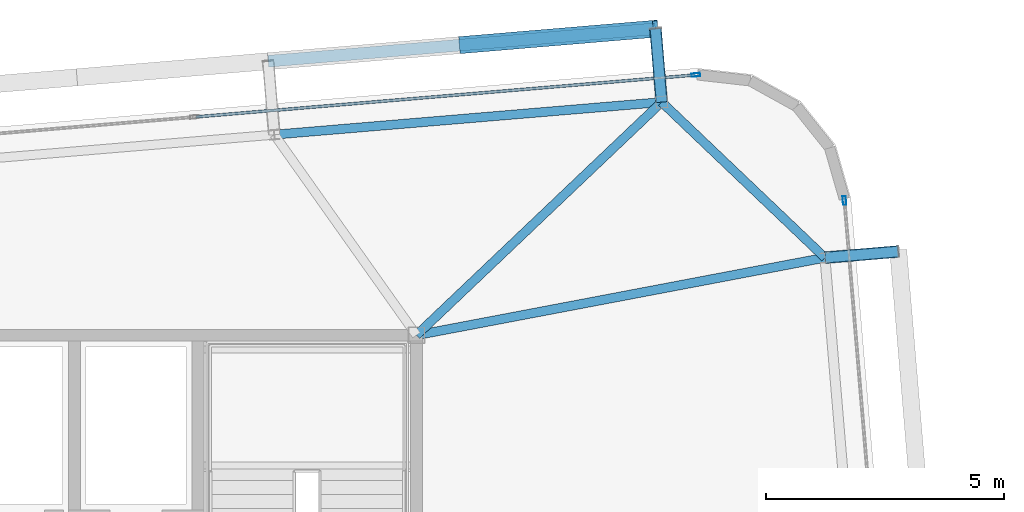
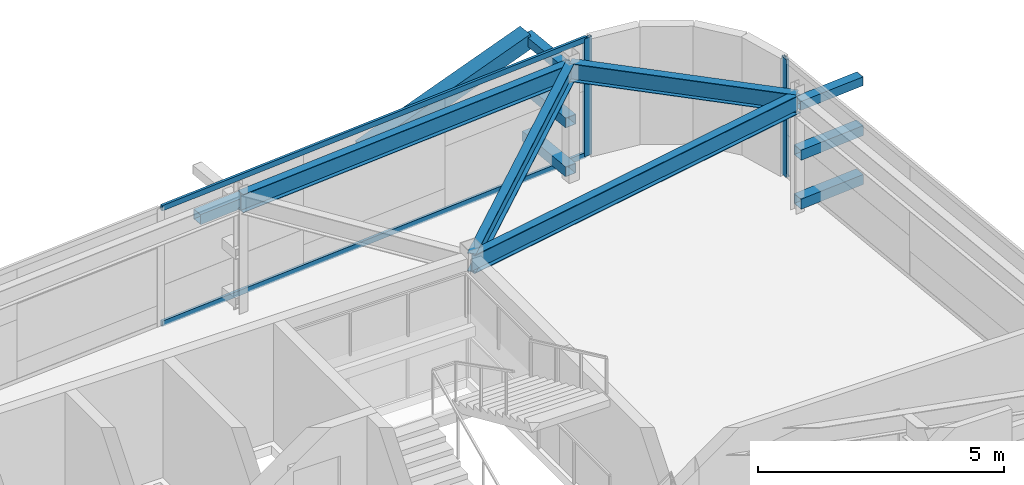
# One storey, part 25 of 39: 12 members, 4 beams, 2 elements without a shape of their own.
"""IFC4 building model written with IfcOpenShell, lengths in metres."""

import ifcopenshell
import ifcopenshell.guid

model = None  # the IFC model being written
_history = None  # IfcOwnerHistory: only IFC2X3 demands one
_inside = {}  # id of a spatial element -> (the spatial element, [elements in it])
_under = {}  # id of a project, library or spatial element -> (it, [spatial elements below it])
_declared = {}  # id of a project -> (the project, [libraries it declares])
_typed = {}  # id of a type object -> (the type object, [elements of that type])
_made_of = {}  # id of a material, layer set ... -> (it, [elements and type objects made of it])


def new_model(schema):
    """Start an empty IFC model of exactly this schema.

    Asked for "IFC4X3", IfcOpenShell would pick the latest addendum, in which some entities
    have other attributes; the version numbers below select the first issue.
    IFC2X3 requires an IfcOwnerHistory on every rooted entity: one is made here for all.
    """
    global model, _history
    if schema == "IFC4X3":
        model = ifcopenshell.file(schema_version=(4, 3, 0, 0))
    else:
        model = ifcopenshell.file(schema=schema)
    _inside.clear()
    _under.clear()
    _declared.clear()
    _typed.clear()
    _made_of.clear()
    _history = None
    if model.schema == "IFC2X3":
        org = make("IfcOrganization", Name="unknown")
        user = make(
            "IfcPersonAndOrganization",
            ThePerson=make("IfcPerson", FamilyName="unknown"),
            TheOrganization=org,
        )
        app = make(
            "IfcApplication",
            ApplicationDeveloper=org,
            Version="unknown",
            ApplicationFullName="unknown",
            ApplicationIdentifier="unknown",
        )
        _history = make(
            "IfcOwnerHistory",
            OwningUser=user,
            OwningApplication=app,
            ChangeAction="ADDED",
            CreationDate=0,
        )
    return model


def make(cls, **values):
    """One entity of the class cls with the attributes given. An attribute that is None is left unset."""
    return model.create_entity(
        cls, **{name: value for name, value in values.items() if value is not None}
    )


def rooted(cls, **values):
    """An entity with a GlobalId (a new one), such as an element, a storey or a relation."""
    return make(cls, GlobalId=ifcopenshell.guid.new(), OwnerHistory=_history, **values)


def si_unit(unit_type, name, prefix=None):
    """IfcSIUnit, for example si_unit("LENGTHUNIT", "METRE", prefix="MILLI")."""
    return make("IfcSIUnit", UnitType=unit_type, Prefix=prefix, Name=name)


def assignment(units):
    """IfcUnitAssignment: the units of a project."""
    return None if units is None else make("IfcUnitAssignment", Units=units)


def point(xyz):
    """IfcCartesianPoint."""
    return None if xyz is None else make("IfcCartesianPoint", Coordinates=xyz)


def direction(xyz):
    """IfcDirection."""
    return None if xyz is None else make("IfcDirection", DirectionRatios=xyz)


def frame(location, z_axis=None, x_axis=None):
    """IfcAxis2Placement3D, a coordinate frame: its origin and axes. An axis left out is left unset."""
    return make(
        "IfcAxis2Placement3D",
        Location=point(location),
        Axis=direction(z_axis),
        RefDirection=direction(x_axis),
    )


def frame_2d(location, x_axis=None):
    """IfcAxis2Placement2D, a coordinate frame in the plane: its origin and x axis."""
    return make(
        "IfcAxis2Placement2D", Location=point(location), RefDirection=direction(x_axis)
    )


def origin():
    """The frame at (0, 0, 0) with its axes left unset."""
    return frame((0.0, 0.0, 0.0))


def origin_2d():
    """The frame at (0, 0) in the plane with its x axis left unset."""
    return frame_2d((0.0, 0.0))


def place(relative_to, where):
    """IfcLocalPlacement: puts the frame where relative to a parent placement (None: the world)."""
    return make(
        "IfcLocalPlacement", PlacementRelTo=relative_to, RelativePlacement=where
    )


def context(
    kind, dimensions, precision=None, world=None, true_north=None, identifier=None
):
    """IfcGeometricRepresentationContext, for example the 3D "Model" context."""
    return make(
        "IfcGeometricRepresentationContext",
        ContextIdentifier=identifier,
        ContextType=kind,
        CoordinateSpaceDimension=dimensions,
        Precision=precision,
        WorldCoordinateSystem=world,
        TrueNorth=true_north,
    )


def subcontext(parent, identifier, kind, view, scale=None):
    """IfcGeometricRepresentationSubContext, for example "Body" below "Model"."""
    return make(
        "IfcGeometricRepresentationSubContext",
        ContextIdentifier=identifier,
        ContextType=kind,
        ParentContext=parent,
        TargetScale=scale,
        TargetView=view,
    )


def project(units=None, contexts=None):
    """IfcProject with its units and contexts."""
    return rooted(
        "IfcProject",
        Name="project",
        RepresentationContexts=contexts,
        UnitsInContext=assignment(units),
    )


def spatial(cls, under=None, at=None, **own):
    """A site, building, storey or space (cls), placed at a placement, below another one or the project."""
    s = rooted(cls, ObjectPlacement=at, **own)
    if under is not None:
        _under.setdefault(under.id(), (under, []))[1].append(s)
    return s


def profile(cls, at=None, kind="AREA", **sizes):
    """A parametric profile (cls). Its sizes go by their IFC names, for example OverallWidth=200.0."""
    return make(cls, ProfileType=kind, Position=at, **sizes)


def hollow_rectangle(**sizes):
    """IfcRectangleHollowProfileDef."""
    return profile("IfcRectangleHollowProfileDef", **sizes)


def i_section(**sizes):
    """IfcIShapeProfileDef."""
    return profile("IfcIShapeProfileDef", **sizes)


def extrude(swept, where, along, depth):
    """IfcExtrudedAreaSolid: the profile swept, set in the frame where, extruded along a direction by depth."""
    return make(
        "IfcExtrudedAreaSolid",
        SweptArea=swept,
        Position=where,
        ExtrudedDirection=direction(along),
        Depth=depth,
    )


def shape(context_of_items, identifier, shape_type, items):
    """IfcShapeRepresentation: the items that make up one representation, for example the "Body"."""
    return make(
        "IfcShapeRepresentation",
        ContextOfItems=context_of_items,
        RepresentationIdentifier=identifier,
        RepresentationType=shape_type,
        Items=items,
    )


def source(mapping_origin, context_of_items, identifier, shape_type, items):
    """IfcRepresentationMap: a shape defined once, which mapped items show again and again."""
    return make(
        "IfcRepresentationMap",
        MappingOrigin=mapping_origin,
        MappedRepresentation=shape(context_of_items, identifier, shape_type, items),
    )


def transform(
    local_origin,
    x_axis=None,
    y_axis=None,
    z_axis=None,
    scale=None,
    scale2=None,
    scale3=None,
    uniform=True,
):
    """IfcCartesianTransformationOperator3D, or its non-uniform kind. x_axis, y_axis, z_axis: its Axis1, 2, 3."""
    if uniform:
        return make(
            "IfcCartesianTransformationOperator3D",
            Axis1=direction(x_axis),
            Axis2=direction(y_axis),
            LocalOrigin=point(local_origin),
            Scale=scale,
            Axis3=direction(z_axis),
        )
    return make(
        "IfcCartesianTransformationOperator3DnonUniform",
        Axis1=direction(x_axis),
        Axis2=direction(y_axis),
        LocalOrigin=point(local_origin),
        Scale=scale,
        Axis3=direction(z_axis),
        Scale2=scale2,
        Scale3=scale3,
    )


def mapped(mapping_source, mapping_target):
    """IfcMappedItem: shows the shape of a source again, moved by a transform."""
    return make(
        "IfcMappedItem", MappingSource=mapping_source, MappingTarget=mapping_target
    )


def material(Name=None, Category=None):
    """IfcMaterial."""
    return make("IfcMaterial", Name=Name, Category=Category)


def layer(
    of_material, thickness, ventilated=None, Name=None, Category=None, Priority=None
):
    """IfcMaterialLayer: one layer of a wall or slab, of a material (None: an air gap)."""
    return make(
        "IfcMaterialLayer",
        Material=of_material,
        LayerThickness=thickness,
        IsVentilated=ventilated,
        Name=Name,
        Category=Category,
        Priority=Priority,
    )


def layer_set(layers, Name=None):
    """IfcMaterialLayerSet."""
    return make("IfcMaterialLayerSet", MaterialLayers=layers, LayerSetName=Name)


def material_profile(
    of_material, cross_section, Name=None, Category=None, Priority=None
):
    """IfcMaterialProfile: a cross section and its material."""
    return make(
        "IfcMaterialProfile",
        Name=Name,
        Material=of_material,
        Profile=cross_section,
        Priority=Priority,
        Category=Category,
    )


def profile_set(profiles, Name=None, composite=None):
    """IfcMaterialProfileSet."""
    return make(
        "IfcMaterialProfileSet",
        Name=Name,
        MaterialProfiles=profiles,
        CompositeProfile=composite,
    )


def made_of(thing, what):
    """Note that an element or type object is made of a material, layer set ...; save() writes the relation."""
    if what is not None:
        _made_of.setdefault(what.id(), (what, []))[1].append(thing)
    return thing


def type_object(cls, material=None, **own):
    """A type object (cls), such as IfcWallType, which elements share."""
    return made_of(rooted(cls, **own), material)


def element(
    cls,
    number,
    at=None,
    inside=None,
    cuts=None,
    type_object=None,
    material=None,
    context=None,
    identifier="Body",
    shape_type=None,
    held_by="IfcProductDefinitionShape",
    body=None,
    shapes=None,
    **own,
):
    """One element of the class cls, such as IfcWall. Its Tag is "e" and its number.

    at: its placement. inside: the storey or other place that contains it. cuts: it is an
    opening in that element (IfcRelVoidsElement). A single representation is given by context,
    identifier, shape_type and body (its items); several are given by shapes. held_by: the class
    of the entity that holds the representations. save() writes the other relations.
    """
    e = rooted(cls, Tag="e%d" % number, ObjectPlacement=at, **own)
    if body is not None:
        shapes = [shape(context, identifier, shape_type, body)]
    if shapes is not None:
        e.Representation = make(held_by, Representations=shapes)
    if inside is not None:
        _inside.setdefault(inside.id(), (inside, []))[1].append(e)
    if cuts is not None:
        rooted(
            "IfcRelVoidsElement", RelatingBuildingElement=cuts, RelatedOpeningElement=e
        )
    if type_object is not None:
        _typed.setdefault(type_object.id(), (type_object, []))[1].append(e)
    return made_of(e, material)


def aggregate(whole, parts):
    """IfcRelAggregates: a whole, such as a stair, and the parts it consists of."""
    return rooted("IfcRelAggregates", RelatingObject=whole, RelatedObjects=parts)


def save(model, path):
    """Write the relations noted so far, then the file.

    IfcRelAggregates (storeys below a building ...), IfcRelContainedInSpatialStructure (elements
    in a storey), IfcRelDefinesByType, IfcRelAssociatesMaterial and IfcRelDeclares: one each for
    every whole, place, type object, material and project.
    """
    for whole, parts in _under.values():
        aggregate(whole, parts)
    for where, things in _inside.values():
        rooted(
            "IfcRelContainedInSpatialStructure",
            RelatedElements=things,
            RelatingStructure=where,
        )
    for kind, things in _typed.values():
        rooted("IfcRelDefinesByType", RelatedObjects=things, RelatingType=kind)
    for what, things in _made_of.values():
        rooted("IfcRelAssociatesMaterial", RelatedObjects=things, RelatingMaterial=what)
    for by, libraries in _declared.values():
        rooted("IfcRelDeclares", RelatingContext=by, RelatedDefinitions=libraries)
    model.write(path)


model = new_model("IFC4")

# Units and contexts
model_context = context("Model", 3, precision=1e-05, world=origin(), true_north=direction((0.0, 1.0)))
body_context = subcontext(model_context, "Body", "Model", "MODEL_VIEW")
ifc_project = project(units=[si_unit("LENGTHUNIT", "METRE"), si_unit("AREAUNIT", "SQUARE_METRE"), si_unit("VOLUMEUNIT", "CUBIC_METRE"), si_unit("PLANEANGLEUNIT", "RADIAN"), si_unit("MASSUNIT", "GRAM", prefix="KILO")], contexts=[model_context])

# Site, building, storey
site_placement = place(None, origin())
site = spatial("IfcSite", under=ifc_project, at=site_placement, CompositionType="ELEMENT")
building_placement = place(site_placement, origin())
building = spatial("IfcBuilding", under=site, at=building_placement, Name="Taldren Reach Tower", CompositionType="ELEMENT")
storey_placement = place(building_placement, frame((0.0, 0.0, 178.85009765625)))
storey = spatial("IfcBuildingStorey", under=building, at=storey_placement, Name="L54", CompositionType="ELEMENT", Elevation=178.85009765625)

# Members
ifc_material_1 = material(Name="Steel Gr 350 (C350L0)", Category="steel")
ifc_material_profile_1 = material_profile(ifc_material_1, hollow_rectangle(XDim=0.25, YDim=0.25, WallThickness=0.010009765625, at=origin_2d()), Name="250x250x10.0SHS")
ifc_profile_set_1 = profile_set([ifc_material_profile_1], Name="Steel Gr 350 (C350L0)")
member_type_1 = type_object("IfcMemberType", Name="MB-POST250", PredefinedType="POST", material=ifc_profile_set_1)
shared_shape_1 = source(origin(), body_context, "Body", "SweptSolid", [
    extrude(hollow_rectangle(XDim=0.25, YDim=0.25, WallThickness=0.010009765625, at=origin_2d()), origin(), (0.0, 0.0, 1.0), 1.5498046875),
])
for number, where, z_axis, x_axis, name in (
    (1, (56.160400390625, 36.906005859375, 0.219970703125), (-0.083645141657, 0.996495604746, 0.0), (-0.996495604746, -0.083645141657, 0.0), "Exoskeleton base diaphragm tie strut B4-N6 L54"),
    (2, (56.160400390625, 36.906005859375, 1.434814453125), (-0.083645141657, 0.996495604746, 0.0), (-0.996495604746, -0.083645141657, 0.0), "Exoskeleton mid-tier diaphragm tie B4-N6 L54"),
):
    element("IfcMember", number, at=place(storey_placement, frame(where, z_axis=z_axis, x_axis=x_axis)), inside=storey, type_object=member_type_1, Name=name, PredefinedType="POST", context=body_context, shape_type="MappedRepresentation", body=[
        mapped(shared_shape_1, transform((0.0, 0.0, 0.0), scale=1.0)),
    ])

# Beams
ifc_material_2 = material(Name="Steel Gr 350 (350PLUS)", Category="steel")
ifc_material_profile_2 = material_profile(ifc_material_2, i_section(OverallWidth=0.18994140625, OverallDepth=0.4541015625, WebThickness=0.008544921875, FlangeThickness=0.0126953125, at=origin_2d()), Name="460UB67.1")
ifc_profile_set_2 = profile_set([ifc_material_profile_2], Name="Steel Gr 350 (350PLUS)")
beam_type_1 = type_object("IfcBeamType", Name="SP-UB460B", PredefinedType="SPANDREL", material=ifc_profile_set_2)
shared_shape_2 = source(origin(), body_context, "Body", "SweptSolid", [
    extrude(i_section(OverallWidth=0.18994140625, OverallDepth=0.4541015625, WebThickness=0.008544921875, FlangeThickness=0.0126953125, at=origin_2d()), origin(), (0.0, 0.0, 1.0), 8.18017578125),
])
beam_1_placement = place(storey_placement, frame((56.160400390625, 36.906005859375, 2.702880859375), z_axis=(-0.996492034688, -0.083687662192, 0.0), x_axis=(0.083687662192, -0.996492034688, 0.0)))
element("IfcBeam", 3, at=beam_1_placement, inside=storey, type_object=beam_type_1, Name="Perimeter spandrel B4 N6-N5 L54", PredefinedType="SPANDREL", context=body_context, shape_type="MappedRepresentation", body=[
    mapped(shared_shape_2, transform((0.0, 0.0, 0.0), scale=1.0)),
])
shared_shape_3 = source(origin(), body_context, "Body", "SweptSolid", [
    extrude(i_section(OverallWidth=0.18994140625, OverallDepth=0.4541015625, WebThickness=0.008544921875, FlangeThickness=0.0126953125, at=origin_2d()), origin(), (0.0, 0.0, 1.0), 4.74609375),
])
beam_2_placement = place(storey_placement, frame((59.596435546875, 33.632080078125, 2.702880859375), z_axis=(-0.723978879349, 0.689822138132, 0.0), x_axis=(-0.689822138132, -0.723978879349, 0.0)))
element("IfcBeam", 4, at=beam_2_placement, inside=storey, type_object=beam_type_1, Name="Perimeter spandrel B4 E3-N6 L54", PredefinedType="SPANDREL", context=body_context, shape_type="MappedRepresentation", body=[
    mapped(shared_shape_3, transform((0.0, 0.0, 0.0), scale=1.0)),
])
ifc_material_profile_3 = material_profile(ifc_material_2, i_section(OverallWidth=0.19091796875, OverallDepth=0.4599609375, WebThickness=0.010009765625, FlangeThickness=0.01611328125, at=origin_2d()), Name="460UB82.1")
ifc_profile_set_3 = profile_set([ifc_material_profile_3], Name="Steel Gr 350 (350PLUS)")
beam_type_2 = type_object("IfcBeamType", Name="BM-UB460A", PredefinedType="BEAM", material=ifc_profile_set_3)
shared_shape_4 = source(origin(), body_context, "Body", "SweptSolid", [
    extrude(i_section(OverallWidth=0.19091796875, OverallDepth=0.4599609375, WebThickness=0.010009765625, FlangeThickness=0.01611328125, at=origin_2d()), origin(), (0.0, 0.0, 1.0), 8.75),
])
beam_3_placement = place(storey_placement, frame((51.0, 32.0, 2.699951171875), z_axis=(0.982450485799, 0.18652357211, 0.0), x_axis=(-0.18652357211, 0.982450485799, 0.0)))
element("IfcBeam", 5, at=beam_3_placement, inside=storey, type_object=beam_type_2, Name="Primary floor girder B4-E3 L54", PredefinedType="BEAM", context=body_context, shape_type="MappedRepresentation", body=[
    mapped(shared_shape_4, transform((0.0, 0.0, 0.0), scale=1.0)),
])
shared_shape_5 = source(origin(), body_context, "Body", "SweptSolid", [
    extrude(i_section(OverallWidth=0.19091796875, OverallDepth=0.4599609375, WebThickness=0.010009765625, FlangeThickness=0.01611328125, at=origin_2d()), origin(), (0.0, 0.0, 1.0), 7.120361328125),
])
beam_4_placement = place(storey_placement, frame((51.0, 32.0, 2.699951171875), z_axis=(0.724745130454, 0.689017050503, 0.0), x_axis=(-0.689017050503, 0.724745130454, 0.0)))
element("IfcBeam", 6, at=beam_4_placement, inside=storey, type_object=beam_type_2, Name="Primary floor girder B4-N6 L54", PredefinedType="BEAM", context=body_context, shape_type="MappedRepresentation", body=[
    mapped(shared_shape_5, transform((0.0, 0.0, 0.0), scale=1.0)),
])

# Members
ifc_material_3 = material(Name="Steel Gr 450 (C450L0)", Category="steel")
ifc_material_profile_4 = material_profile(ifc_material_3, hollow_rectangle(XDim=0.219970703125, YDim=0.219970703125, WallThickness=0.00830078125, at=origin_2d()), Name="220x220x8.2SHS")
ifc_profile_set_4 = profile_set([ifc_material_profile_4], Name="Steel Gr 450 (C450L0)")
member_type_2 = type_object("IfcMemberType", Name="MB-TIE219", PredefinedType="STRUT", material=ifc_profile_set_4)
shared_shape_6 = source(origin(), body_context, "Body", "SweptSolid", [
    extrude(hollow_rectangle(XDim=0.219970703125, YDim=0.219970703125, WallThickness=0.00830078125, at=origin_2d()), origin(), (0.0, 0.0, 1.0), 1.5498046875),
])
member_1_placement = place(storey_placement, frame((56.160400390625, 36.906005859375, 2.64990234375), z_axis=(-0.083645141657, 0.996495604746, 0.0), x_axis=(-0.996495604746, -0.083645141657, 0.0)))
element("IfcMember", 7, at=member_1_placement, inside=storey, type_object=member_type_2, Name="Exoskeleton diaphragm tie strut B4-N6 L54", PredefinedType="STRUT", context=body_context, shape_type="MappedRepresentation", body=[
    mapped(shared_shape_6, transform((0.0, 0.0, 0.0), scale=1.0)),
])
shared_shape_7 = source(origin(), body_context, "Body", "SweptSolid", [
    extrude(hollow_rectangle(XDim=0.219970703125, YDim=0.219970703125, WallThickness=0.00830078125, at=origin_2d()), origin(), (0.0, 0.0, 1.0), 1.545166015625),
])
member_2_placement = place(storey_placement, frame((59.60107421875, 33.63232421875, 2.64990234375), z_axis=(0.996487766615, 0.083738467783, 0.0), x_axis=(-0.083738467783, 0.996487766615, 0.0)))
element("IfcMember", 8, at=member_2_placement, inside=storey, type_object=member_type_2, Name="Exoskeleton diaphragm tie strut B4-E3 L54", PredefinedType="STRUT", context=body_context, shape_type="MappedRepresentation", body=[
    mapped(shared_shape_7, transform((0.0, 0.0, 0.0), scale=1.0)),
])
shared_shape_8 = source(origin(), body_context, "Body", "SweptSolid", [
    extrude(hollow_rectangle(XDim=0.25, YDim=0.25, WallThickness=0.010009765625, at=origin_2d()), origin(), (0.0, 0.0, 1.0), 8.179931640625),
])
member_3_placement = place(storey_placement, frame((47.87939453125, 37.76611328125, 1.434814453125), z_axis=(0.996494523218, 0.083658025296, 0.0), x_axis=(-0.083658025296, 0.996494523218, 0.0)))
element("IfcMember", 9, at=member_3_placement, inside=storey, type_object=member_type_1, Name="Exoskeleton mid-height ring chord B4-N5 L54", PredefinedType="POST", context=body_context, shape_type="MappedRepresentation", body=[
    mapped(shared_shape_8, transform((0.0, 0.0, 0.0), scale=1.0)),
])
shared_shape_9 = source(origin(), body_context, "Body", "SweptSolid", [
    extrude(hollow_rectangle(XDim=0.25, YDim=0.25, WallThickness=0.010009765625, at=origin_2d()), origin(), (0.0, 0.0, 1.0), 1.545166015625),
])
for number, where, z_axis, x_axis, name in (
    (10, (59.60107421875, 33.63232421875, 0.219970703125), (0.996487766615, 0.083738467783, 0.0), (-0.083738467783, 0.996487766615, 0.0), "Exoskeleton base diaphragm tie strut B4-E3 L54"),
    (11, (59.60107421875, 33.63232421875, 1.434814453125), (0.996487766615, 0.083738467783, 0.0), (-0.083738467783, 0.996487766615, 0.0), "Exoskeleton mid-tier diaphragm tie B4-E3 L54"),
):
    element("IfcMember", number, at=place(storey_placement, frame(where, z_axis=z_axis, x_axis=x_axis)), inside=storey, type_object=member_type_1, Name=name, PredefinedType="POST", context=body_context, shape_type="MappedRepresentation", body=[
        mapped(shared_shape_9, transform((0.0, 0.0, 0.0), scale=1.0)),
    ])
ifc_material_profile_5 = material_profile(ifc_material_3, hollow_rectangle(XDim=0.360107421875, YDim=0.360107421875, WallThickness=0.0126953125, at=origin_2d()), Name="360x360x12.7SHS")
ifc_profile_set_5 = profile_set([ifc_material_profile_5], Name="Steel Gr 450 (C450L0)")
member_type_3 = type_object("IfcMemberType", Name="MB-EXO356", PredefinedType="BRACE", material=ifc_profile_set_5)
shared_shape_10 = source(origin(), body_context, "Body", "SweptSolid", [
    extrude(hollow_rectangle(XDim=0.360107421875, YDim=0.360107421875, WallThickness=0.0126953125, at=origin_2d()), origin(), (0.0, 0.0, 1.0), 4.2666015625),
])
member_4_placement = place(storey_placement, frame((51.955078125, 38.1083984375, 1.434814453125), z_axis=(0.955233542365, 0.080165460216, 0.28478479336), x_axis=(-0.083628388178, 0.996497010879, 0.0)))
element("IfcMember", 12, at=member_4_placement, inside=storey, type_object=member_type_3, Name="Exoskeleton Diagrid Brace B4-N5 L54", PredefinedType="BRACE", context=body_context, shape_type="MappedRepresentation", body=[
    mapped(shared_shape_10, transform((0.0, 0.0, 0.0), scale=1.0)),
])

# Curtain wall, member
ifc_material_4 = material(Name="Aluminium and Low-E Glass Unitised System", Category="aluminium")
ifc_layer = layer(ifc_material_4, 0.159912109375)
ifc_layer_set = layer_set([ifc_layer], Name="Aluminium and Low-E Glass Unitised System")
curtain_wall_type = type_object("IfcCurtainWallType", Name="CW-SYS-5", PredefinedType="NOTDEFINED", material=ifc_layer_set)
curtain_wall_1_placement = place(storey_placement, origin())
curtain_wall_1 = element("IfcCurtainWall", 13, at=curtain_wall_1_placement, inside=storey, type_object=curtain_wall_type, Name="Unitised curtain wall CW-L54-N", PredefinedType="NOTDEFINED")
ifc_material_5 = material(Name="Anodised Aluminium 6063-T6", Category="aluminium")
ifc_material_profile_6 = material_profile(ifc_material_5, hollow_rectangle(XDim=0.070068359375, YDim=0.179931640625, WallThickness=0.00390625, at=origin_2d()), Name="ALU-180x70x4RHS")
ifc_profile_set_6 = profile_set([ifc_material_profile_6], Name="Anodised Aluminium 6063-T6")
member_type_4 = type_object("IfcMemberType", Name="CW-MUL-180", PredefinedType="MULLION", material=ifc_profile_set_6)
shared_shape_11 = source(origin(), body_context, "Body", "SweptSolid", [
    extrude(hollow_rectangle(XDim=0.070068359375, YDim=0.179931640625, WallThickness=0.00390625, at=origin_2d()), origin(), (0.0, 0.0, 1.0), 2.929931640625),
])
member_5_placement = place(storey_placement, frame((56.8798828125, 37.478271484375, 0.0), z_axis=(0.0, 0.0, 1.0), x_axis=(0.083677875247, -0.99649285657, 0.0)))
member_5 = element("IfcMember", 14, at=member_5_placement, type_object=member_type_4, Name="CW-5 mullion 1", PredefinedType="MULLION", context=body_context, shape_type="MappedRepresentation", body=[
    mapped(shared_shape_11, transform((0.0, 0.0, 0.0), scale=1.0)),
])

curtain_wall_2_placement = place(storey_placement, origin())
curtain_wall_2 = element("IfcCurtainWall", 15, at=curtain_wall_2_placement, inside=storey, type_object=curtain_wall_type, Name="Unitised curtain wall CW-L54-E", PredefinedType="NOTDEFINED")
member_6_placement = place(storey_placement, frame((60.007080078125, 34.835693359375, 0.0), z_axis=(0.0, 0.0, 1.0), x_axis=(-0.996492847789, -0.083677979808, 0.0)))
member_6 = element("IfcMember", 16, at=member_6_placement, type_object=member_type_4, Name="CW-5 mullion 3", PredefinedType="MULLION", context=body_context, shape_type="MappedRepresentation", body=[
    mapped(shared_shape_11, transform((0.0, 0.0, 0.0), scale=1.0)),
])
aggregate(curtain_wall_2, [member_6])

# Member
ifc_material_profile_7 = material_profile(ifc_material_5, hollow_rectangle(XDim=0.06005859375, YDim=0.135009765625, WallThickness=0.00341796875, at=origin_2d()), Name="ALU-135x60x3.5RHS")
ifc_profile_set_7 = profile_set([ifc_material_profile_7], Name="Anodised Aluminium 6063-T6")
member_type_5 = type_object("IfcMemberType", Name="CW-TRN-150", PredefinedType="USERDEFINED", material=ifc_profile_set_7)
shared_shape_12 = source(origin(), body_context, "Body", "SweptSolid", [
    extrude(hollow_rectangle(XDim=0.06005859375, YDim=0.135009765625, WallThickness=0.00341796875, at=origin_2d()), origin(), (0.0, 0.0, 1.0), 10.52001953125),
])
member_7_placement = place(storey_placement, frame((56.84521484375, 37.475341796875, 0.02978515625), z_axis=(-0.996492256575, -0.08368502008, 0.0), x_axis=(0.08368502008, -0.996492256575, 0.0)))
member_7 = element("IfcMember", 17, at=member_7_placement, type_object=member_type_5, Name="CW-5 transom 1.1", ObjectType="TRANSOM", PredefinedType="USERDEFINED", context=body_context, shape_type="MappedRepresentation", body=[
    mapped(shared_shape_12, transform((0.0, 0.0, 0.0), scale=1.0)),
])

member_8_placement = place(storey_placement, frame((56.84521484375, 37.475341796875, 2.89990234375), z_axis=(-0.996492256575, -0.08368502008, 0.0), x_axis=(0.08368502008, -0.996492256575, 0.0)))
member_8 = element("IfcMember", 18, at=member_8_placement, type_object=member_type_5, Name="CW-5 transom 1.2", ObjectType="TRANSOM", PredefinedType="USERDEFINED", context=body_context, shape_type="MappedRepresentation", body=[
    mapped(shared_shape_12, transform((0.0, 0.0, 0.0), scale=1.0)),
])

aggregate(curtain_wall_1, [member_5, member_7, member_8])

save(model, "model.ifc")
